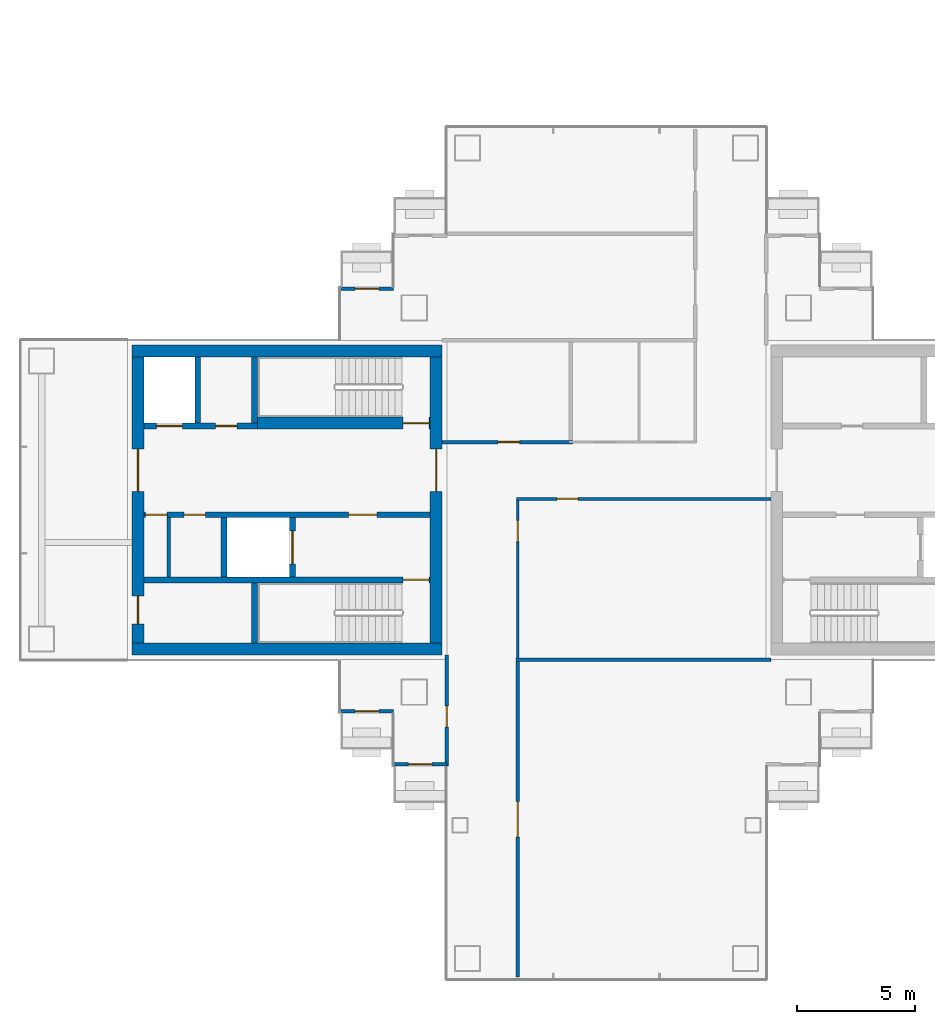
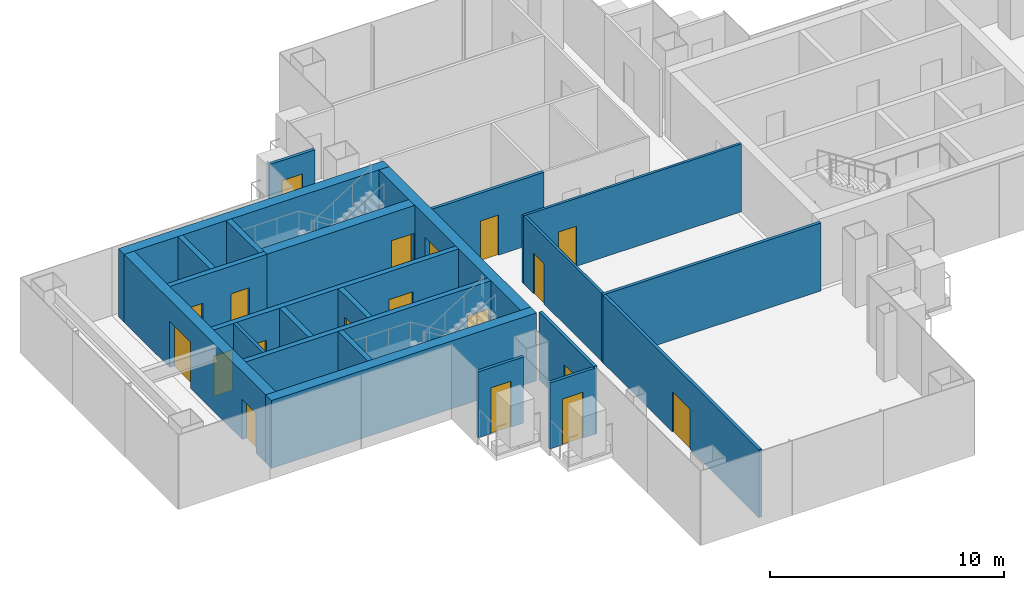
# One storey, part 9 of 16: 23 walls, 19 doors, 19 openings.
"""IFC4 building model written with IfcOpenShell, lengths in metres."""

from ifc_helpers import new_model, si_unit, direction, frame, frame_2d, origin, place, context, subcontext, project, spatial, rectangle, extrude, material, layer, layer_set, type_object, element, fill, save


model = new_model("IFC4")

# Units and contexts
model_context = context("Model", 3, precision=1e-05, world=origin(), true_north=direction((0.0, 1.0)))
body_context = subcontext(model_context, "Body", "Model", "MODEL_VIEW")
ifc_project = project(units=[si_unit("LENGTHUNIT", "METRE"), si_unit("AREAUNIT", "SQUARE_METRE"), si_unit("VOLUMEUNIT", "CUBIC_METRE"), si_unit("PLANEANGLEUNIT", "RADIAN"), si_unit("MASSUNIT", "GRAM", prefix="KILO")], contexts=[model_context])

# Site, building, storey
site_placement = place(None, origin())
site = spatial("IfcSite", under=ifc_project, at=site_placement, CompositionType="ELEMENT")
building_placement = place(site_placement, origin())
building = spatial("IfcBuilding", under=site, at=building_placement, Name="Shamsa Quay Exchange Towers", CompositionType="ELEMENT")
storey_placement = place(building_placement, frame((0.0, 0.0, 150.60009765625)))
storey = spatial("IfcBuildingStorey", under=building, at=storey_placement, Name="L35", CompositionType="ELEMENT", Elevation=150.60009765625)

# Wall, opening, door
ifc_material_1 = material(Name="Aluminium EN AW-6063 T6, black anodised, with black enamelled glass infill", Category="aluminium")
ifc_layer_1 = layer(ifc_material_1, 0.14990234375)
ifc_layer_set_1 = layer_set([ifc_layer_1], Name="BALCONY DOOR BAY WALL 150")
wall_type_1 = type_object("IfcWallType", Name="BALCONY DOOR BAY WALL 150", PredefinedType="SOLIDWALL", material=ifc_layer_set_1)
wall_1_placement = place(storey_placement, frame((-45.0, 8.925048828125, 0.0)))
wall_1 = element("IfcWall", 1, at=wall_1_placement, inside=storey, type_object=wall_type_1, Name="Door bay T1-PKWN L35", PredefinedType="SOLIDWALL", context=body_context, shape_type="SweptSolid", body=[
    extrude(rectangle(XDim=2.25, YDim=0.14990234375, at=frame_2d((1.125, 0.0))), origin(), (0.0, 0.0, 1.0), 3.449951171875),
])
opening_1_placement = place(wall_1_placement, frame((0.625, 0.0, 0.0)))
opening_1 = element("IfcOpeningElement", 2, at=opening_1_placement, cuts=wall_1, Name="Opening XD222", PredefinedType="OPENING", context=body_context, shape_type="SweptSolid", body=[
    extrude(rectangle(XDim=1.0, YDim=2.39990234375, at=frame_2d((0.5, 1.199951171875))), frame((0.0, 0.0849609375, 0.0), z_axis=(0.0, -1.0, 0.0), x_axis=(1.0, 0.0, 0.0)), (0.0, 0.0, 1.0), 0.169921875),
])
ifc_material_2 = material(Name="Aluminium EN AW-6063 T6, black anodised, with laminated glass leaf", Category="aluminium")
door_type_1 = type_object("IfcDoorType", Name="BALCONY DOOR 1000x2400", OperationType="SINGLE_SWING_LEFT", PredefinedType="DOOR", material=ifc_material_2)
door_1_placement = place(opening_1_placement, origin())
door_1 = element("IfcDoor", 3, at=door_1_placement, inside=storey, type_object=door_type_1, Name="Balcony door T1-PKWN L35", OperationType="SINGLE_SWING_RIGHT", OverallHeight=2.39990234375, OverallWidth=1.0, PredefinedType="DOOR", context=body_context, shape_type="SweptSolid", body=[
    extrude(rectangle(XDim=1.0, YDim=2.39990234375, at=frame_2d((0.5, 1.199951171875))), frame((0.0, 0.02490234375, 0.0), z_axis=(0.0, -1.0, 0.0), x_axis=(1.0, 0.0, 0.0)), (0.0, 0.0, 1.0), 0.050048828125),
])
fill(opening_1, door_1)

wall_2_placement = place(storey_placement, frame((-42.75, -8.925048828125, 0.0), z_axis=(0.0, 0.0, 1.0), x_axis=(-1.0, 0.0, 0.0)))
wall_2 = element("IfcWall", 4, at=wall_2_placement, inside=storey, type_object=wall_type_1, Name="Door bay T1-PKWS L35", PredefinedType="SOLIDWALL", context=body_context, shape_type="SweptSolid", body=[
    extrude(rectangle(XDim=2.25, YDim=0.14990234375, at=frame_2d((1.125, 0.0))), origin(), (0.0, 0.0, 1.0), 3.449951171875),
])
opening_2_placement = place(wall_2_placement, frame((0.625, 0.0, 0.0)))
opening_2 = element("IfcOpeningElement", 5, at=opening_2_placement, cuts=wall_2, Name="Opening XD223", PredefinedType="OPENING", context=body_context, shape_type="SweptSolid", body=[
    extrude(rectangle(XDim=1.0, YDim=2.39990234375, at=frame_2d((0.5, 1.199951171875))), frame((0.0, 0.0849609375, 0.0), z_axis=(0.0, -1.0, 0.0), x_axis=(1.0, 0.0, 0.0)), (0.0, 0.0, 1.0), 0.169921875),
])
door_2_placement = place(opening_2_placement, origin())
door_2 = element("IfcDoor", 6, at=door_2_placement, inside=storey, type_object=door_type_1, Name="Balcony door T1-PKWS L35", OperationType="SINGLE_SWING_LEFT", OverallHeight=2.39990234375, OverallWidth=1.0, PredefinedType="DOOR", context=body_context, shape_type="SweptSolid", body=[
    extrude(rectangle(XDim=1.0, YDim=2.39990234375, at=frame_2d((0.5, 1.199951171875))), frame((0.0, 0.02490234375, 0.0), z_axis=(0.0, -1.0, 0.0), x_axis=(1.0, 0.0, 0.0)), (0.0, 0.0, 1.0), 0.050048828125),
])
fill(opening_2, door_2)

wall_3_placement = place(storey_placement, frame((-40.5, -11.175048828125, 0.0), z_axis=(0.0, 0.0, 1.0), x_axis=(-1.0, 0.0, 0.0)))
wall_3 = element("IfcWall", 7, at=wall_3_placement, inside=storey, type_object=wall_type_1, Name="Door bay T1-PKWS L35", PredefinedType="SOLIDWALL", context=body_context, shape_type="SweptSolid", body=[
    extrude(rectangle(XDim=2.25, YDim=0.14990234375, at=frame_2d((1.125, 0.0))), origin(), (0.0, 0.0, 1.0), 3.449951171875),
])
opening_3_placement = place(wall_3_placement, frame((0.625, 0.0, 0.0)))
opening_3 = element("IfcOpeningElement", 8, at=opening_3_placement, cuts=wall_3, Name="Opening XD224", PredefinedType="OPENING", context=body_context, shape_type="SweptSolid", body=[
    extrude(rectangle(XDim=1.0, YDim=2.39990234375, at=frame_2d((0.5, 1.199951171875))), frame((0.0, 0.0849609375, 0.0), z_axis=(0.0, -1.0, 0.0), x_axis=(1.0, 0.0, 0.0)), (0.0, 0.0, 1.0), 0.169921875),
])
door_3_placement = place(opening_3_placement, origin())
door_3 = element("IfcDoor", 9, at=door_3_placement, inside=storey, type_object=door_type_1, Name="Balcony door T1-PKWS L35", OperationType="SINGLE_SWING_RIGHT", OverallHeight=2.39990234375, OverallWidth=1.0, PredefinedType="DOOR", context=body_context, shape_type="SweptSolid", body=[
    extrude(rectangle(XDim=1.0, YDim=2.39990234375, at=frame_2d((0.5, 1.199951171875))), frame((0.0, 0.02490234375, 0.0), z_axis=(0.0, -1.0, 0.0), x_axis=(1.0, 0.0, 0.0)), (0.0, 0.0, 1.0), 0.050048828125),
])
fill(opening_3, door_3)

# Walls
ifc_material_3 = material(Name="Concrete C60/75", Category="concrete")
ifc_layer_2 = layer(ifc_material_3, 0.5)
ifc_layer_set_2 = layer_set([ifc_layer_2], Name="CORE WALL 500 C60/75")
wall_type_2 = type_object("IfcWallType", Name="CORE WALL 500 C60/75", PredefinedType="SHEAR", material=ifc_layer_set_2)
for number, where, z_axis, x_axis, name in (
    (10, (-40.699951171875, -6.300048828125, 0.0), (0.0, 0.0, 1.0), (-1.0, 0.0, 0.0), "Core wall T1B-R17-PS"),
    (11, (-40.699951171875, 6.300048828125, 0.0), (0.0, 0.0, 1.0), (-1.0, 0.0, 0.0), "Core wall T1B-R17-PN"),
):
    element("IfcWall", number, at=place(storey_placement, frame(where, z_axis=z_axis, x_axis=x_axis)), inside=storey, type_object=wall_type_2, Name=name, PredefinedType="SHEAR", context=body_context, shape_type="SweptSolid", body=[
        extrude(rectangle(XDim=13.10009765625, YDim=0.5, at=frame_2d((6.550048828125, 0.0))), origin(), (0.0, 0.0, 1.0), 3.5498046875),
    ])

# Wall, opening, door
wall_4_placement = place(storey_placement, frame((-40.949951171875, -6.050048828125, 0.0), z_axis=(0.0, 0.0, 1.0), x_axis=(0.0, 1.0, 0.0)))
wall_4 = element("IfcWall", 12, at=wall_4_placement, inside=storey, type_object=wall_type_2, Name="Core wall T1B-R17-PF", PredefinedType="SHEAR", context=body_context, shape_type="SweptSolid", body=[
    extrude(rectangle(XDim=12.10009765625, YDim=0.5, at=frame_2d((6.050048828125, 0.0))), origin(), (0.0, 0.0, 1.0), 3.5498046875),
])
opening_4_placement = place(wall_4_placement, frame((6.39990234375, 0.0, 0.0)))
opening_4 = element("IfcOpeningElement", 13, at=opening_4_placement, cuts=wall_4, Name="Opening T1B-R17-LBD01", PredefinedType="OPENING", context=body_context, shape_type="SweptSolid", body=[
    extrude(rectangle(XDim=1.800048828125, YDim=2.39990234375, at=frame_2d((0.89990234375, 1.199951171875))), frame((0.0, 0.260009765625, 0.0), z_axis=(0.0, -1.0, 0.0), x_axis=(1.0, 0.0, 0.0)), (0.0, 0.0, 1.0), 0.52001953125),
])
ifc_material_4 = material(Name="Steel, fire rated", Category="steel")
door_type_2 = type_object("IfcDoorType", Name="LIFT LOBBY DOOR PAIR 1800", OperationType="DOUBLE_DOOR_SINGLE_SWING", PredefinedType="DOOR", material=ifc_material_4)
door_4_placement = place(opening_4_placement, origin())
door_4 = element("IfcDoor", 14, at=door_4_placement, inside=storey, type_object=door_type_2, Name="T1B-R17-LBD01", OperationType="DOUBLE_DOOR_SINGLE_SWING", OverallHeight=2.39990234375, OverallWidth=1.800048828125, PredefinedType="DOOR", context=body_context, shape_type="SweptSolid", body=[
    extrude(rectangle(XDim=1.800048828125, YDim=2.39990234375, at=frame_2d((0.89990234375, 1.199951171875))), frame((0.0, 0.02490234375, 0.0), z_axis=(0.0, -1.0, 0.0), x_axis=(1.0, 0.0, 0.0)), (0.0, 0.0, 1.0), 0.050048828125),
])
fill(opening_4, door_4)

# Wall, openings, doors
wall_5_placement = place(storey_placement, frame((-53.550048828125, -6.050048828125, 0.0), z_axis=(0.0, 0.0, 1.0), x_axis=(0.0, 1.0, 0.0)))
wall_5 = element("IfcWall", 15, at=wall_5_placement, inside=storey, type_object=wall_type_2, Name="Core wall T1B-R17-PB", PredefinedType="SHEAR", context=body_context, shape_type="SweptSolid", body=[
    extrude(rectangle(XDim=12.10009765625, YDim=0.5, at=frame_2d((6.050048828125, 0.0))), origin(), (0.0, 0.0, 1.0), 3.5498046875),
])
opening_5_placement = place(wall_5_placement, frame((0.800048828125, 0.0, 0.0)))
opening_5 = element("IfcOpeningElement", 16, at=opening_5_placement, cuts=wall_5, Name="Opening T1B-R17-RD02", PredefinedType="OPENING", context=body_context, shape_type="SweptSolid", body=[
    extrude(rectangle(XDim=1.199951171875, YDim=2.10009765625, at=frame_2d((0.60009765625, 1.050048828125))), frame((0.0, 0.260009765625, 0.0), z_axis=(0.0, -1.0, 0.0), x_axis=(1.0, 0.0, 0.0)), (0.0, 0.0, 1.0), 0.52001953125),
])
opening_6_placement = place(wall_5_placement, frame((6.39990234375, 0.0, 0.0)))
opening_6 = element("IfcOpeningElement", 17, at=opening_6_placement, cuts=wall_5, Name="Opening T1B-R17-LBD03", PredefinedType="OPENING", context=body_context, shape_type="SweptSolid", body=[
    extrude(rectangle(XDim=1.800048828125, YDim=2.39990234375, at=frame_2d((0.89990234375, 1.199951171875))), frame((0.0, 0.260009765625, 0.0), z_axis=(0.0, -1.0, 0.0), x_axis=(1.0, 0.0, 0.0)), (0.0, 0.0, 1.0), 0.52001953125),
])
door_5_placement = place(opening_6_placement, origin())
door_5 = element("IfcDoor", 18, at=door_5_placement, inside=storey, type_object=door_type_2, Name="T1B-R17-LBD03", OperationType="DOUBLE_DOOR_SINGLE_SWING", OverallHeight=2.39990234375, OverallWidth=1.800048828125, PredefinedType="DOOR", context=body_context, shape_type="SweptSolid", body=[
    extrude(rectangle(XDim=1.800048828125, YDim=2.39990234375, at=frame_2d((0.89990234375, 1.199951171875))), frame((0.0, 0.02490234375, 0.0), z_axis=(0.0, -1.0, 0.0), x_axis=(1.0, 0.0, 0.0)), (0.0, 0.0, 1.0), 0.050048828125),
])
fill(opening_6, door_5)
door_type_3 = type_object("IfcDoorType", Name="RISER ACCESS DOOR 1200", OperationType="SINGLE_SWING_LEFT", PredefinedType="DOOR", material=ifc_material_4)
door_6_placement = place(opening_5_placement, origin())
door_6 = element("IfcDoor", 19, at=door_6_placement, inside=storey, type_object=door_type_3, Name="T1B-R17-RD02", OperationType="SINGLE_SWING_LEFT", OverallHeight=2.10009765625, OverallWidth=1.199951171875, PredefinedType="DOOR", context=body_context, shape_type="SweptSolid", body=[
    extrude(rectangle(XDim=1.199951171875, YDim=2.10009765625, at=frame_2d((0.60009765625, 1.050048828125))), frame((0.0, 0.02490234375, 0.0), z_axis=(0.0, -1.0, 0.0), x_axis=(1.0, 0.0, 0.0)), (0.0, 0.0, 1.0), 0.050048828125),
])
fill(opening_5, door_6)

# Wall
ifc_material_5 = material(Name="Gypsum board on steel studs, EI 60", Category="steel")
ifc_layer_3 = layer(ifc_material_5, 0.14990234375)
ifc_layer_set_3 = layer_set([ifc_layer_3], Name="FIRE PARTITION 150")
wall_type_3 = type_object("IfcWallType", Name="FIRE PARTITION 150", PredefinedType="PARTITIONING", material=ifc_layer_set_3)
wall_6_placement = place(storey_placement, frame((-52.25, -3.25, 0.0), z_axis=(0.0, 0.0, 1.0), x_axis=(0.0, 1.0, 0.0)))
element("IfcWall", 20, at=wall_6_placement, inside=storey, type_object=wall_type_3, Name="Partition T1B-R17-EC0", PredefinedType="PARTITIONING", context=body_context, shape_type="SweptSolid", body=[
    extrude(rectangle(XDim=2.5, YDim=0.14990234375, at=frame_2d((1.25, 0.0))), origin(), (0.0, 0.0, 1.0), 3.5498046875),
])

# Wall, opening, door
ifc_material_6 = material(Name="Laminated fire-resisting glass in a metal frame", Category="glass")
ifc_layer_4 = layer(ifc_material_6, 0.125)
ifc_layer_set_4 = layer_set([ifc_layer_4], Name="Glazed partition 125 mm EI 60")
wall_type_4 = type_object("IfcWallType", Name="Glazed partition 125 mm EI 60", PredefinedType="PARTITIONING", material=ifc_layer_set_4)
wall_7_placement = place(storey_placement, frame((-37.5625, 0.0498046875, 0.0)))
wall_7 = element("IfcWall", 21, at=wall_7_placement, inside=storey, type_object=wall_type_4, Name="Partition T1-R17-W06", PredefinedType="PARTITIONING", context=body_context, shape_type="SweptSolid", body=[
    extrude(rectangle(XDim=10.762451171875, YDim=0.125, at=frame_2d((5.38134765625, 0.0))), origin(), (0.0, 0.0, 1.0), 3.5498046875),
])
opening_7_placement = place(wall_7_placement, frame((1.71240234375, 0.0, 0.0)))
opening_7 = element("IfcOpeningElement", 22, at=opening_7_placement, cuts=wall_7, Name="Opening T1-R17-D05", PredefinedType="OPENING", context=body_context, shape_type="SweptSolid", body=[
    extrude(rectangle(XDim=0.89990234375, YDim=2.10009765625, at=frame_2d((0.449951171875, 1.050048828125))), frame((0.0, 0.072509765625, 0.0), z_axis=(0.0, -1.0, 0.0), x_axis=(1.0, 0.0, 0.0)), (0.0, 0.0, 1.0), 0.14501953125),
])
ifc_material_7 = material(Name="Timber door leaf in a metal frame", Category="wood")
door_type_4 = type_object("IfcDoorType", Name="Door 900x2100 FD30S", OperationType="NOTDEFINED", PredefinedType="DOOR", material=ifc_material_7)
door_7_placement = place(opening_7_placement, origin())
door_7 = element("IfcDoor", 23, at=door_7_placement, inside=storey, type_object=door_type_4, Name="Door T1-R17-D05", OperationType="SINGLE_SWING_LEFT", OverallHeight=2.10009765625, OverallWidth=0.89990234375, PredefinedType="DOOR", context=body_context, shape_type="SweptSolid", body=[
    extrude(rectangle(XDim=0.89990234375, YDim=2.10009765625, at=frame_2d((0.449951171875, 1.050048828125))), frame((0.0, 0.02490234375, 0.0), z_axis=(0.0, -1.0, 0.0), x_axis=(1.0, 0.0, 0.0)), (0.0, 0.0, 1.0), 0.050048828125),
])
fill(opening_7, door_7)

wall_8_placement = place(storey_placement, frame((-37.5, -6.675048828125, 0.0), z_axis=(0.0, 0.0, 1.0), x_axis=(0.0, 1.0, 0.0)))
wall_8 = element("IfcWall", 24, at=wall_8_placement, inside=storey, type_object=wall_type_4, Name="Partition T1-R17-W07", PredefinedType="PARTITIONING", context=body_context, shape_type="SweptSolid", body=[
    extrude(rectangle(XDim=6.662353515625, YDim=0.125, at=frame_2d((3.3310546875, 0.0))), origin(), (0.0, 0.0, 1.0), 3.5498046875),
])
opening_8_placement = place(wall_8_placement, frame((4.914794921875, 0.0, 0.0)))
opening_8 = element("IfcOpeningElement", 25, at=opening_8_placement, cuts=wall_8, Name="Opening T1-R17-D03", PredefinedType="OPENING", context=body_context, shape_type="SweptSolid", body=[
    extrude(rectangle(XDim=0.89990234375, YDim=2.10009765625, at=frame_2d((0.449951171875, 1.050048828125))), frame((0.0, 0.072509765625, 0.0), z_axis=(0.0, -1.0, 0.0), x_axis=(1.0, 0.0, 0.0)), (0.0, 0.0, 1.0), 0.14501953125),
])
door_8_placement = place(opening_8_placement, origin())
door_8 = element("IfcDoor", 26, at=door_8_placement, inside=storey, type_object=door_type_4, Name="Door T1-R17-D03", OperationType="SINGLE_SWING_RIGHT", OverallHeight=2.10009765625, OverallWidth=0.89990234375, PredefinedType="DOOR", context=body_context, shape_type="SweptSolid", body=[
    extrude(rectangle(XDim=0.89990234375, YDim=2.10009765625, at=frame_2d((0.449951171875, 1.050048828125))), frame((0.0, 0.02490234375, 0.0), z_axis=(0.0, -1.0, 0.0), x_axis=(1.0, 0.0, 0.0)), (0.0, 0.0, 1.0), 0.050048828125),
])
fill(opening_8, door_8)

ifc_material_8 = material(Name="Gypsum board partition on metal studs")
ifc_layer_5 = layer(ifc_material_8, 0.14990234375)
ifc_layer_set_5 = layer_set([ifc_layer_5], Name="Partition 150 mm EI 60")
wall_type_5 = type_object("IfcWallType", Name="Partition 150 mm EI 60", PredefinedType="PARTITIONING", material=ifc_layer_set_5)
wall_9_placement = place(storey_placement, frame((-40.699951171875, 2.4501953125, 0.0)))
wall_9 = element("IfcWall", 27, at=wall_9_placement, inside=storey, type_object=wall_type_5, Name="Partition T1-R17-W02", PredefinedType="PARTITIONING", context=body_context, shape_type="SweptSolid", body=[
    extrude(rectangle(XDim=5.52490234375, YDim=0.14990234375, at=frame_2d((2.762451171875, 0.0))), origin(), (0.0, 0.0, 1.0), 3.5498046875),
])
opening_9_placement = place(wall_9_placement, frame((2.375, 0.0, 0.0)))
opening_9 = element("IfcOpeningElement", 28, at=opening_9_placement, cuts=wall_9, Name="Opening T1-R17-D02", PredefinedType="OPENING", context=body_context, shape_type="SweptSolid", body=[
    extrude(rectangle(XDim=0.89990234375, YDim=2.10009765625, at=frame_2d((0.449951171875, 1.050048828125))), frame((0.0, 0.0849609375, 0.0), z_axis=(0.0, -1.0, 0.0), x_axis=(1.0, 0.0, 0.0)), (0.0, 0.0, 1.0), 0.169921875),
])
door_9_placement = place(opening_9_placement, origin())
door_9 = element("IfcDoor", 29, at=door_9_placement, inside=storey, type_object=door_type_4, Name="Door T1-R17-D02", OperationType="SINGLE_SWING_RIGHT", OverallHeight=2.10009765625, OverallWidth=0.89990234375, PredefinedType="DOOR", context=body_context, shape_type="SweptSolid", body=[
    extrude(rectangle(XDim=0.89990234375, YDim=2.10009765625, at=frame_2d((0.449951171875, 1.050048828125))), frame((0.0, 0.02490234375, 0.0), z_axis=(0.0, -1.0, 0.0), x_axis=(1.0, 0.0, 0.0)), (0.0, 0.0, 1.0), 0.050048828125),
])
fill(opening_9, door_9)

wall_10_placement = place(storey_placement, frame((-37.5, -6.824951171875, 0.0), z_axis=(0.0, 0.0, 1.0), x_axis=(0.0, -1.0, 0.0)))
wall_10 = element("IfcWall", 30, at=wall_10_placement, inside=storey, type_object=wall_type_5, Name="Partition T1-R17-W05", PredefinedType="PARTITIONING", context=body_context, shape_type="SweptSolid", body=[
    extrude(rectangle(XDim=13.330078125, YDim=0.14990234375, at=frame_2d((6.6650390625, 0.0))), origin(), (0.0, 0.0, 1.0), 3.5498046875),
])
opening_10_placement = place(wall_10_placement, frame((5.925048828125, 0.0, 0.0)))
opening_10 = element("IfcOpeningElement", 31, at=opening_10_placement, cuts=wall_10, Name="Opening T1-R17-D04", PredefinedType="OPENING", context=body_context, shape_type="SweptSolid", body=[
    extrude(rectangle(XDim=1.5, YDim=2.10009765625, at=frame_2d((0.75, 1.050048828125))), frame((0.0, 0.0849609375, 0.0), z_axis=(0.0, -1.0, 0.0), x_axis=(1.0, 0.0, 0.0)), (0.0, 0.0, 1.0), 0.169921875),
])
door_type_5 = type_object("IfcDoorType", Name="Door 1500x2100 FD30S pair", OperationType="NOTDEFINED", PredefinedType="DOOR", material=ifc_material_7)
door_10_placement = place(opening_10_placement, origin())
door_10 = element("IfcDoor", 32, at=door_10_placement, inside=storey, type_object=door_type_5, Name="Door T1-R17-D04", OperationType="DOUBLE_DOOR_SINGLE_SWING", OverallHeight=2.10009765625, OverallWidth=1.5, PredefinedType="DOOR", context=body_context, shape_type="SweptSolid", body=[
    extrude(rectangle(XDim=1.5, YDim=2.10009765625, at=frame_2d((0.75, 1.050048828125))), frame((0.0, 0.02490234375, 0.0), z_axis=(0.0, -1.0, 0.0), x_axis=(1.0, 0.0, 0.0)), (0.0, 0.0, 1.0), 0.050048828125),
])
fill(opening_10, door_10)

wall_11_placement = place(storey_placement, frame((-40.5, -11.25, 0.0), z_axis=(0.0, 0.0, 1.0), x_axis=(0.0, 1.0, 0.0)))
wall_11 = element("IfcWall", 33, at=wall_11_placement, inside=storey, type_object=wall_type_5, Name="Partition T1-R17-W08", PredefinedType="PARTITIONING", context=body_context, shape_type="SweptSolid", body=[
    extrude(rectangle(XDim=4.699951171875, YDim=0.14990234375, at=frame_2d((2.35009765625, 0.0))), origin(), (0.0, 0.0, 1.0), 3.5498046875),
])
opening_11_placement = place(wall_11_placement, frame((1.64990234375, 0.0, 0.0)))
opening_11 = element("IfcOpeningElement", 34, at=opening_11_placement, cuts=wall_11, Name="Opening T1-R17-D01", PredefinedType="OPENING", context=body_context, shape_type="SweptSolid", body=[
    extrude(rectangle(XDim=0.89990234375, YDim=2.10009765625, at=frame_2d((0.449951171875, 1.050048828125))), frame((0.0, 0.0849609375, 0.0), z_axis=(0.0, -1.0, 0.0), x_axis=(1.0, 0.0, 0.0)), (0.0, 0.0, 1.0), 0.169921875),
])
door_11_placement = place(opening_11_placement, origin())
door_11 = element("IfcDoor", 35, at=door_11_placement, inside=storey, type_object=door_type_4, Name="Door T1-R17-D01", OperationType="SINGLE_SWING_LEFT", OverallHeight=2.10009765625, OverallWidth=0.89990234375, PredefinedType="DOOR", context=body_context, shape_type="SweptSolid", body=[
    extrude(rectangle(XDim=0.89990234375, YDim=2.10009765625, at=frame_2d((0.449951171875, 1.050048828125))), frame((0.0, 0.02490234375, 0.0), z_axis=(0.0, -1.0, 0.0), x_axis=(1.0, 0.0, 0.0)), (0.0, 0.0, 1.0), 0.050048828125),
])
fill(opening_11, door_11)

# Wall
wall_12_placement = place(storey_placement, frame((-26.800048828125, -6.75, 0.0), z_axis=(0.0, 0.0, 1.0), x_axis=(-1.0, 0.0, 0.0)))
element("IfcWall", 36, at=wall_12_placement, inside=storey, type_object=wall_type_5, Name="Partition T1-R17-W14", PredefinedType="PARTITIONING", context=body_context, shape_type="SweptSolid", body=[
    extrude(rectangle(XDim=10.77490234375, YDim=0.14990234375, at=frame_2d((5.387451171875, 0.0))), origin(), (0.0, 0.0, 1.0), 3.5498046875),
])

# Wall, opening, door
ifc_material_9 = material(Name="Concrete C50/60", Category="concrete")
ifc_layer_6 = layer(ifc_material_9, 0.25)
ifc_layer_set_6 = layer_set([ifc_layer_6], Name="SHAFT WALL 250 C50/60")
wall_type_6 = type_object("IfcWallType", Name="SHAFT WALL 250 C50/60", PredefinedType="SHEAR", material=ifc_layer_set_6)
wall_13_placement = place(storey_placement, frame((-41.199951171875, -3.375, 0.0), z_axis=(0.0, 0.0, 1.0), x_axis=(-1.0, 0.0, 0.0)))
wall_13 = element("IfcWall", 37, at=wall_13_placement, inside=storey, type_object=wall_type_6, Name="Shaft wall T1B-R17-STL", PredefinedType="SHEAR", context=body_context, shape_type="SweptSolid", body=[
    extrude(rectangle(XDim=12.10009765625, YDim=0.25, at=frame_2d((6.050048828125, 0.0))), origin(), (0.0, 0.0, 1.0), 3.5498046875),
])
opening_12_placement = place(wall_13_placement, frame((0.050048828125, 0.0, 0.0)))
opening_12 = element("IfcOpeningElement", 38, at=opening_12_placement, cuts=wall_13, Name="Opening T1B-R17-SD04", PredefinedType="OPENING", context=body_context, shape_type="SweptSolid", body=[
    extrude(rectangle(XDim=1.10009765625, YDim=2.10009765625, at=frame_2d((0.550048828125, 1.050048828125))), frame((0.0, 0.135009765625, 0.0), z_axis=(0.0, -1.0, 0.0), x_axis=(1.0, 0.0, 0.0)), (0.0, 0.0, 1.0), 0.27001953125),
])
door_type_6 = type_object("IfcDoorType", Name="STAIR DOOR 1100", OperationType="SINGLE_SWING_LEFT", PredefinedType="DOOR", material=ifc_material_4)
door_12_placement = place(opening_12_placement, origin())
door_12 = element("IfcDoor", 39, at=door_12_placement, inside=storey, type_object=door_type_6, Name="T1B-R17-SD04", OperationType="SINGLE_SWING_LEFT", OverallHeight=2.10009765625, OverallWidth=1.10009765625, PredefinedType="DOOR", context=body_context, shape_type="SweptSolid", body=[
    extrude(rectangle(XDim=1.10009765625, YDim=2.10009765625, at=frame_2d((0.550048828125, 1.050048828125))), frame((0.0, 0.02490234375, 0.0), z_axis=(0.0, -1.0, 0.0), x_axis=(1.0, 0.0, 0.0)), (0.0, 0.0, 1.0), 0.050048828125),
])
fill(opening_12, door_12)

# Wall
wall_14_placement = place(storey_placement, frame((-48.625, -6.050048828125, 0.0), z_axis=(0.0, 0.0, 1.0), x_axis=(0.0, 1.0, 0.0)))
element("IfcWall", 40, at=wall_14_placement, inside=storey, type_object=wall_type_6, Name="Shaft wall T1B-R17-STF", PredefinedType="SHEAR", context=body_context, shape_type="SweptSolid", body=[
    extrude(rectangle(XDim=2.550048828125, YDim=0.25, at=frame_2d((1.27490234375, 0.0))), origin(), (0.0, 0.0, 1.0), 3.5498046875),
])

# Wall, openings, doors
wall_15_placement = place(storey_placement, frame((-41.199951171875, -0.625, 0.0), z_axis=(0.0, 0.0, 1.0), x_axis=(-1.0, 0.0, 0.0)))
wall_15 = element("IfcWall", 41, at=wall_15_placement, inside=storey, type_object=wall_type_6, Name="Shaft wall T1B-R17-B", PredefinedType="SHEAR", context=body_context, shape_type="SweptSolid", body=[
    extrude(rectangle(XDim=12.10009765625, YDim=0.25, at=frame_2d((6.050048828125, 0.0))), origin(), (0.0, 0.0, 1.0), 3.5498046875),
])
opening_13_placement = place(wall_15_placement, frame((2.25, 0.0, 0.0)))
opening_13 = element("IfcOpeningElement", 42, at=opening_13_placement, cuts=wall_15, Name="Opening T1B-R17-FD05", PredefinedType="OPENING", context=body_context, shape_type="SweptSolid", body=[
    extrude(rectangle(XDim=1.199951171875, YDim=2.10009765625, at=frame_2d((0.60009765625, 1.050048828125))), frame((0.0, 0.135009765625, 0.0), z_axis=(0.0, -1.0, 0.0), x_axis=(1.0, 0.0, 0.0)), (0.0, 0.0, 1.0), 0.27001953125),
])
opening_14_placement = place(wall_15_placement, frame((9.5, 0.0, 0.0)))
opening_14 = element("IfcOpeningElement", 43, at=opening_14_placement, cuts=wall_15, Name="Opening T1B-R17-SV06", PredefinedType="OPENING", context=body_context, shape_type="SweptSolid", body=[
    extrude(rectangle(XDim=0.89990234375, YDim=2.10009765625, at=frame_2d((0.449951171875, 1.050048828125))), frame((0.0, 0.135009765625, 0.0), z_axis=(0.0, -1.0, 0.0), x_axis=(1.0, 0.0, 0.0)), (0.0, 0.0, 1.0), 0.27001953125),
])
opening_15_placement = place(wall_15_placement, frame((11.125, 0.0, 0.0)))
opening_15 = element("IfcOpeningElement", 44, at=opening_15_placement, cuts=wall_15, Name="Opening T1B-R17-SV07", PredefinedType="OPENING", context=body_context, shape_type="SweptSolid", body=[
    extrude(rectangle(XDim=0.89990234375, YDim=2.10009765625, at=frame_2d((0.449951171875, 1.050048828125))), frame((0.0, 0.135009765625, 0.0), z_axis=(0.0, -1.0, 0.0), x_axis=(1.0, 0.0, 0.0)), (0.0, 0.0, 1.0), 0.27001953125),
])
door_type_7 = type_object("IfcDoorType", Name="FIRE SERVICE LOBBY DOOR 1200", OperationType="SINGLE_SWING_LEFT", PredefinedType="DOOR", material=ifc_material_4)
door_13_placement = place(opening_13_placement, origin())
door_13 = element("IfcDoor", 45, at=door_13_placement, inside=storey, type_object=door_type_7, Name="T1B-R17-FD05", OperationType="SINGLE_SWING_LEFT", OverallHeight=2.10009765625, OverallWidth=1.199951171875, PredefinedType="DOOR", context=body_context, shape_type="SweptSolid", body=[
    extrude(rectangle(XDim=1.199951171875, YDim=2.10009765625, at=frame_2d((0.60009765625, 1.050048828125))), frame((0.0, 0.02490234375, 0.0), z_axis=(0.0, -1.0, 0.0), x_axis=(1.0, 0.0, 0.0)), (0.0, 0.0, 1.0), 0.050048828125),
])
fill(opening_13, door_13)
door_type_8 = type_object("IfcDoorType", Name="SERVICE ROOM DOOR 900", OperationType="SINGLE_SWING_LEFT", PredefinedType="DOOR", material=ifc_material_4)
door_14_placement = place(opening_14_placement, origin())
door_14 = element("IfcDoor", 46, at=door_14_placement, inside=storey, type_object=door_type_8, Name="T1B-R17-SV06", OperationType="SINGLE_SWING_RIGHT", OverallHeight=2.10009765625, OverallWidth=0.89990234375, PredefinedType="DOOR", context=body_context, shape_type="SweptSolid", body=[
    extrude(rectangle(XDim=0.89990234375, YDim=2.10009765625, at=frame_2d((0.449951171875, 1.050048828125))), frame((0.0, 0.02490234375, 0.0), z_axis=(0.0, -1.0, 0.0), x_axis=(1.0, 0.0, 0.0)), (0.0, 0.0, 1.0), 0.050048828125),
])
fill(opening_14, door_14)
door_15_placement = place(opening_15_placement, origin())
door_15 = element("IfcDoor", 47, at=door_15_placement, inside=storey, type_object=door_type_8, Name="T1B-R17-SV07", OperationType="SINGLE_SWING_RIGHT", OverallHeight=2.10009765625, OverallWidth=0.89990234375, PredefinedType="DOOR", context=body_context, shape_type="SweptSolid", body=[
    extrude(rectangle(XDim=0.89990234375, YDim=2.10009765625, at=frame_2d((0.449951171875, 1.050048828125))), frame((0.0, 0.02490234375, 0.0), z_axis=(0.0, -1.0, 0.0), x_axis=(1.0, 0.0, 0.0)), (0.0, 0.0, 1.0), 0.050048828125),
])
fill(opening_15, door_15)

# Wall, opening, door
wall_16_placement = place(storey_placement, frame((-47.02490234375, -3.25, 0.0), z_axis=(0.0, 0.0, 1.0), x_axis=(0.0, 1.0, 0.0)))
wall_16 = element("IfcWall", 48, at=wall_16_placement, inside=storey, type_object=wall_type_6, Name="Shaft wall T1B-R17-FFF", PredefinedType="SHEAR", context=body_context, shape_type="SweptSolid", body=[
    extrude(rectangle(XDim=2.5, YDim=0.25, at=frame_2d((1.25, 0.0))), origin(), (0.0, 0.0, 1.0), 3.5498046875),
])
opening_16_placement = place(wall_16_placement, frame((0.550048828125, 0.0, 0.0)))
opening_16 = element("IfcOpeningElement", 49, at=opening_16_placement, cuts=wall_16, Name="Opening T1B-R17-LDG08", PredefinedType="OPENING", context=body_context, shape_type="SweptSolid", body=[
    extrude(rectangle(XDim=1.39990234375, YDim=2.39990234375, at=frame_2d((0.699951171875, 1.199951171875))), frame((0.0, 0.135009765625, 0.0), z_axis=(0.0, -1.0, 0.0), x_axis=(1.0, 0.0, 0.0)), (0.0, 0.0, 1.0), 0.27001953125),
])
door_type_9 = type_object("IfcDoorType", Name="GOODS LIFT LANDING DOOR 1400", OperationType="SLIDING_TO_LEFT", PredefinedType="DOOR", material=ifc_material_4)
door_16_placement = place(opening_16_placement, origin())
door_16 = element("IfcDoor", 50, at=door_16_placement, inside=storey, type_object=door_type_9, Name="T1B-R17-LDG08", OperationType="SLIDING_TO_LEFT", OverallHeight=2.39990234375, OverallWidth=1.39990234375, PredefinedType="DOOR", context=body_context, shape_type="SweptSolid", body=[
    extrude(rectangle(XDim=1.39990234375, YDim=2.39990234375, at=frame_2d((0.699951171875, 1.199951171875))), frame((0.0, 0.02490234375, 0.0), z_axis=(0.0, -1.0, 0.0), x_axis=(1.0, 0.0, 0.0)), (0.0, 0.0, 1.0), 0.050048828125),
])
fill(opening_16, door_16)

# Wall
wall_17_placement = place(storey_placement, frame((-49.925048828125, -3.25, 0.0), z_axis=(0.0, 0.0, 1.0), x_axis=(0.0, 1.0, 0.0)))
element("IfcWall", 51, at=wall_17_placement, inside=storey, type_object=wall_type_6, Name="Shaft wall T1B-R17-FFB", PredefinedType="SHEAR", context=body_context, shape_type="SweptSolid", body=[
    extrude(rectangle(XDim=2.5, YDim=0.25, at=frame_2d((1.25, 0.0))), origin(), (0.0, 0.0, 1.0), 3.5498046875),
])

# Wall, openings, doors
wall_18_placement = place(storey_placement, frame((-53.300048828125, 3.125, 0.0)))
wall_18 = element("IfcWall", 52, at=wall_18_placement, inside=storey, type_object=wall_type_6, Name="Shaft wall T1B-R17-N2", PredefinedType="SHEAR", context=body_context, shape_type="SweptSolid", body=[
    extrude(rectangle(XDim=4.800048828125, YDim=0.25, at=frame_2d((2.39990234375, 0.0))), origin(), (0.0, 0.0, 1.0), 3.5498046875),
])
opening_17_placement = place(wall_18_placement, frame((0.52490234375, 0.0, 0.0)))
opening_17 = element("IfcOpeningElement", 53, at=opening_17_placement, cuts=wall_18, Name="Opening T1B-R17-LD10", PredefinedType="OPENING", context=body_context, shape_type="SweptSolid", body=[
    extrude(rectangle(XDim=1.10009765625, YDim=2.10009765625, at=frame_2d((0.550048828125, 1.050048828125))), frame((0.0, 0.135009765625, 0.0), z_axis=(0.0, -1.0, 0.0), x_axis=(1.0, 0.0, 0.0)), (0.0, 0.0, 1.0), 0.27001953125),
])
opening_18_placement = place(wall_18_placement, frame((3.02490234375, 0.0, 0.0)))
opening_18 = element("IfcOpeningElement", 54, at=opening_18_placement, cuts=wall_18, Name="Opening T1B-R17-SV11", PredefinedType="OPENING", context=body_context, shape_type="SweptSolid", body=[
    extrude(rectangle(XDim=0.89990234375, YDim=2.10009765625, at=frame_2d((0.449951171875, 1.050048828125))), frame((0.0, 0.135009765625, 0.0), z_axis=(0.0, -1.0, 0.0), x_axis=(1.0, 0.0, 0.0)), (0.0, 0.0, 1.0), 0.27001953125),
])
door_type_10 = type_object("IfcDoorType", Name="LANDING DOOR 1100", OperationType="SLIDING_TO_LEFT", PredefinedType="DOOR", material=ifc_material_4)
door_17_placement = place(opening_17_placement, origin())
door_17 = element("IfcDoor", 55, at=door_17_placement, inside=storey, type_object=door_type_10, Name="T1B-R17-LD10", OperationType="SLIDING_TO_LEFT", OverallHeight=2.10009765625, OverallWidth=1.10009765625, PredefinedType="DOOR", context=body_context, shape_type="SweptSolid", body=[
    extrude(rectangle(XDim=1.10009765625, YDim=2.10009765625, at=frame_2d((0.550048828125, 1.050048828125))), frame((0.0, 0.02490234375, 0.0), z_axis=(0.0, -1.0, 0.0), x_axis=(1.0, 0.0, 0.0)), (0.0, 0.0, 1.0), 0.050048828125),
])
fill(opening_17, door_17)
door_18_placement = place(opening_18_placement, origin())
door_18 = element("IfcDoor", 56, at=door_18_placement, inside=storey, type_object=door_type_8, Name="T1B-R17-SV11", OperationType="SINGLE_SWING_RIGHT", OverallHeight=2.10009765625, OverallWidth=0.89990234375, PredefinedType="DOOR", context=body_context, shape_type="SweptSolid", body=[
    extrude(rectangle(XDim=0.89990234375, YDim=2.10009765625, at=frame_2d((0.449951171875, 1.050048828125))), frame((0.0, 0.02490234375, 0.0), z_axis=(0.0, -1.0, 0.0), x_axis=(1.0, 0.0, 0.0)), (0.0, 0.0, 1.0), 0.050048828125),
])
fill(opening_18, door_18)

# Walls
for number, where, z_axis, x_axis, name in (
    (57, (-48.625, 3.25, 0.0), (0.0, 0.0, 1.0), (0.0, 1.0, 0.0), "Shaft wall T1B-R17-STF2"),
    (58, (-51.02490234375, 3.25, 0.0), (0.0, 0.0, 1.0), (0.0, 1.0, 0.0), "Shaft wall T1B-R17-D0"),
):
    element("IfcWall", number, at=place(storey_placement, frame(where, z_axis=z_axis, x_axis=x_axis)), inside=storey, type_object=wall_type_6, Name=name, PredefinedType="SHEAR", context=body_context, shape_type="SweptSolid", body=[
        extrude(rectangle(XDim=2.800048828125, YDim=0.25, at=frame_2d((1.39990234375, 0.0))), origin(), (0.0, 0.0, 1.0), 3.5498046875),
    ])

# Wall, opening, door
ifc_layer_7 = layer(ifc_material_9, 0.5)
ifc_layer_set_7 = layer_set([ifc_layer_7], Name="SHAFT WALL 500 C50/60")
wall_type_7 = type_object("IfcWallType", Name="SHAFT WALL 500 C50/60", PredefinedType="SHEAR", material=ifc_layer_set_7)
wall_19_placement = place(storey_placement, frame((-48.5, 3.25, 0.0)))
wall_19 = element("IfcWall", 59, at=wall_19_placement, inside=storey, type_object=wall_type_7, Name="Shaft wall T1B-R17-N", PredefinedType="SHEAR", context=body_context, shape_type="SweptSolid", body=[
    extrude(rectangle(XDim=7.300048828125, YDim=0.5, at=frame_2d((3.64990234375, 0.0))), origin(), (0.0, 0.0, 1.0), 3.5498046875),
])
opening_19_placement = place(wall_19_placement, frame((6.14990234375, 0.0, 0.0)))
opening_19 = element("IfcOpeningElement", 60, at=opening_19_placement, cuts=wall_19, Name="Opening T1B-R17-SD09", PredefinedType="OPENING", context=body_context, shape_type="SweptSolid", body=[
    extrude(rectangle(XDim=1.10009765625, YDim=2.10009765625, at=frame_2d((0.550048828125, 1.050048828125))), frame((0.0, 0.260009765625, 0.0), z_axis=(0.0, -1.0, 0.0), x_axis=(1.0, 0.0, 0.0)), (0.0, 0.0, 1.0), 0.52001953125),
])
door_19_placement = place(opening_19_placement, origin())
door_19 = element("IfcDoor", 61, at=door_19_placement, inside=storey, type_object=door_type_6, Name="T1B-R17-SD09", OperationType="SINGLE_SWING_RIGHT", OverallHeight=2.10009765625, OverallWidth=1.10009765625, PredefinedType="DOOR", context=body_context, shape_type="SweptSolid", body=[
    extrude(rectangle(XDim=1.10009765625, YDim=2.10009765625, at=frame_2d((0.550048828125, 1.050048828125))), frame((0.0, 0.02490234375, 0.0), z_axis=(0.0, -1.0, 0.0), x_axis=(1.0, 0.0, 0.0)), (0.0, 0.0, 1.0), 0.050048828125),
])
fill(opening_19, door_19)

save(model, "model.ifc")
